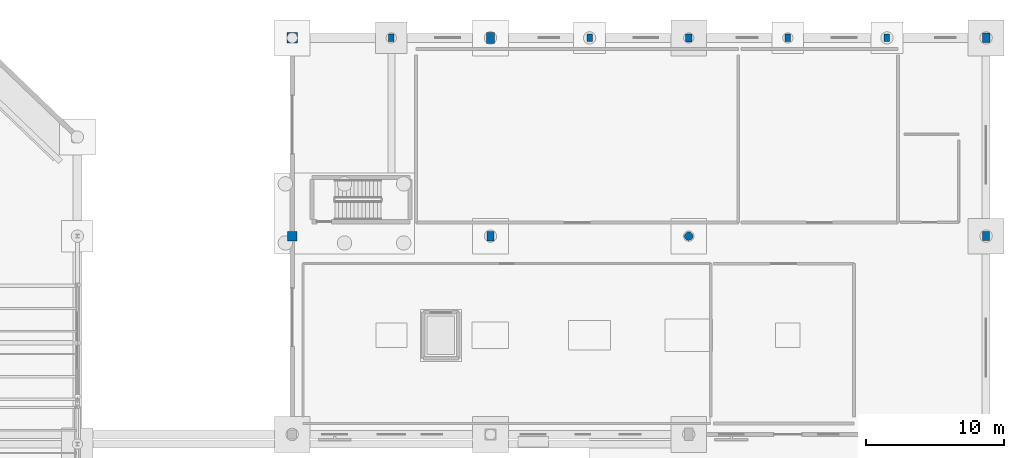
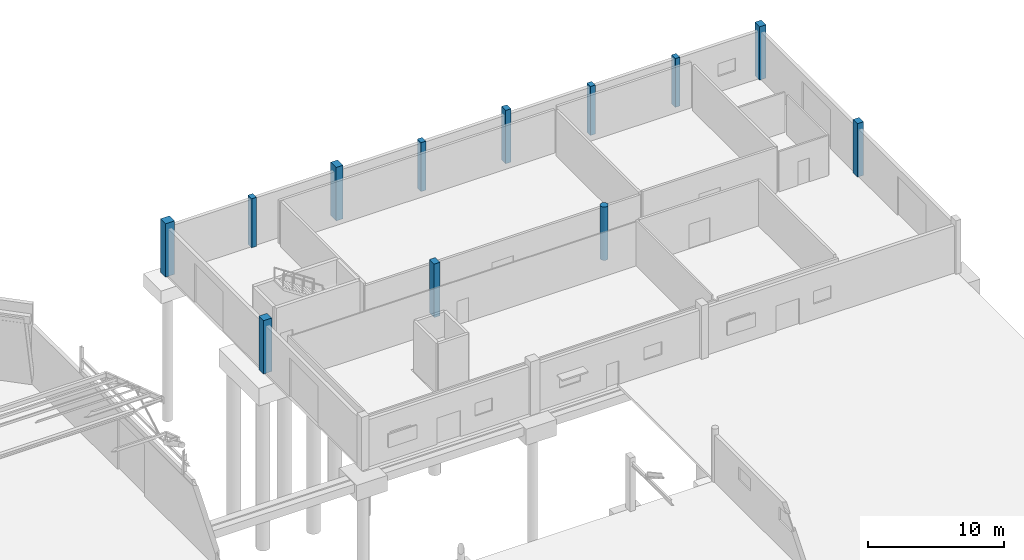
# One storey, part 38 of 285: 12 columns.
"""IFC4 building model written with IfcOpenShell, lengths in metres."""

from ifc_helpers import new_model, si_unit, direction, frame, origin, origin_2d, place, context, subcontext, project, spatial, rectangle, circle, extrude, material, material_profile, profile_set, type_object, element, save


model = new_model("IFC4")

# Units and contexts
model_context = context("Model", 3, precision=1e-05, world=origin(), true_north=direction((0.0, 1.0)))
body_context = subcontext(model_context, "Body", "Model", "MODEL_VIEW")
ifc_project = project(units=[si_unit("LENGTHUNIT", "METRE"), si_unit("AREAUNIT", "SQUARE_METRE"), si_unit("VOLUMEUNIT", "CUBIC_METRE"), si_unit("PLANEANGLEUNIT", "RADIAN"), si_unit("MASSUNIT", "GRAM", prefix="KILO")], contexts=[model_context])

# Site, building, storey
site_placement = place(None, origin())
site = spatial("IfcSite", under=ifc_project, at=site_placement, CompositionType="ELEMENT")
building_placement = place(site_placement, origin())
building = spatial("IfcBuilding", under=site, at=building_placement, Name="Solanera Park Tramway Depot", CompositionType="ELEMENT")
storey_placement = place(building_placement, origin())
storey = spatial("IfcBuildingStorey", under=building, at=storey_placement, Name="L00", CompositionType="ELEMENT", Elevation=0.0)

# Columns
ifc_material_1 = material(Name="Concrete N40 (C40/50)", Category="concrete")
ifc_material_profile_1 = material_profile(ifc_material_1, rectangle(XDim=0.39990234375, YDim=0.550048828125, at=origin_2d()), Name="PIL 400x550")
ifc_profile_set_1 = profile_set([ifc_material_profile_1], Name="Concrete N40 (C40/50)")
column_type_1 = type_object("IfcColumnType", Name="Classical Facade Pilaster PIL 400x550", PredefinedType="PILASTER", material=ifc_profile_set_1)
for number, where, z_axis, x_axis, name in (
    (1, (172.800048828125, 144.0, 0.0), (0.0, 0.0, 1.0), (1.0, 0.0, 0.0), "L00 Classical Pilaster 06"),
    (2, (187.199951171875, 144.0, 0.0), (0.0, 0.0, 1.0), (1.0, 0.0, 0.0), "L00 Classical Pilaster 07"),
    (3, (201.60009765625, 144.0, 0.0), (0.0, 0.0, 1.0), (1.0, 0.0, 0.0), "L00 Classical Pilaster 08"),
    (4, (208.800048828125, 144.0, 0.0), (0.0, 0.0, 1.0), (1.0, 0.0, 0.0), "L00 Classical Pilaster 09"),
):
    element("IfcColumn", number, at=place(storey_placement, frame(where, z_axis=z_axis, x_axis=x_axis)), inside=storey, type_object=column_type_1, Name=name, PredefinedType="PILASTER", context=body_context, shape_type="SweptSolid", body=[
        extrude(rectangle(XDim=0.39990234375, YDim=0.550048828125, at=origin_2d()), origin(), (0.0, 0.0, 1.0), 4.39990234375),
    ])
ifc_material_2 = material(Name="Concrete N40 (C40/50)", Category="concrete")
ifc_material_profile_2 = material_profile(ifc_material_2, rectangle(XDim=0.449951171875, YDim=0.60009765625, at=origin_2d()), Name="RC 450x600")
ifc_profile_set_2 = profile_set([ifc_material_profile_2], Name="Concrete N40 (C40/50)")
column_type_2 = type_object("IfcColumnType", Name="RC Column Ext RC 450x600", PredefinedType="COLUMN", material=ifc_profile_set_2)
column_1_placement = place(storey_placement, frame((194.39990234375, 144.0, 0.0), z_axis=(0.0, 0.0, 1.0), x_axis=(1.0, 0.0, 0.0)))
element("IfcColumn", 5, at=column_1_placement, inside=storey, type_object=column_type_2, Name="L00 Column V3-X1944-Y1440", PredefinedType="COLUMN", context=body_context, shape_type="SweptSolid", body=[
    extrude(rectangle(XDim=0.449951171875, YDim=0.60009765625, at=origin_2d()), origin(), (0.0, 0.0, 1.0), 4.800048828125),
])
ifc_material_3 = material(Name="Concrete N40 (C40/50)", Category="concrete")
ifc_material_profile_3 = material_profile(ifc_material_3, rectangle(XDim=0.5, YDim=0.64990234375, at=origin_2d()), Name="RC 500x650")
ifc_profile_set_3 = profile_set([ifc_material_profile_3], Name="Concrete N40 (C40/50)")
column_type_3 = type_object("IfcColumnType", Name="RC Column Ext RC 500x650", PredefinedType="COLUMN", material=ifc_profile_set_3)
column_2_placement = place(storey_placement, frame((216.0, 129.60009765625, 0.0), z_axis=(0.0, 0.0, 1.0), x_axis=(1.0, 0.0, 0.0)))
element("IfcColumn", 6, at=column_2_placement, inside=storey, type_object=column_type_3, Name="L00 Column V3-X2160-Y1296", PredefinedType="COLUMN", context=body_context, shape_type="SweptSolid", body=[
    extrude(rectangle(XDim=0.5, YDim=0.64990234375, at=origin_2d()), origin(), (0.0, 0.0, 1.0), 4.800048828125),
])
ifc_material_4 = material(Name="Concrete N40 (C40/50)", Category="concrete")
ifc_material_profile_4 = material_profile(ifc_material_4, rectangle(XDim=0.550048828125, YDim=0.699951171875, at=origin_2d()), Name="RC 550x700")
ifc_profile_set_4 = profile_set([ifc_material_profile_4], Name="Concrete N40 (C40/50)")
column_type_4 = type_object("IfcColumnType", Name="RC Column Ext RC 550x700", PredefinedType="COLUMN", material=ifc_profile_set_4)
column_3_placement = place(storey_placement, frame((216.0, 144.0, 0.0), z_axis=(0.0, 0.0, 1.0), x_axis=(1.0, 0.0, 0.0)))
element("IfcColumn", 7, at=column_3_placement, inside=storey, type_object=column_type_4, Name="L00 Column V3-X2160-Y1440", PredefinedType="COLUMN", context=body_context, shape_type="SweptSolid", body=[
    extrude(rectangle(XDim=0.550048828125, YDim=0.699951171875, at=origin_2d()), origin(), (0.0, 0.0, 1.0), 4.800048828125),
])
ifc_material_5 = material(Name="Concrete N40 (C40/50)", Category="concrete")
ifc_material_profile_5 = material_profile(ifc_material_5, rectangle(XDim=0.60009765625, YDim=0.800048828125, at=origin_2d()), Name="RC 600x800")
ifc_profile_set_5 = profile_set([ifc_material_profile_5], Name="Concrete N40 (C40/50)")
column_type_5 = type_object("IfcColumnType", Name="RC Column Ext RC 600x800", PredefinedType="COLUMN", material=ifc_profile_set_5)
column_4_placement = place(storey_placement, frame((180.0, 144.0, 0.0), z_axis=(0.0, 0.0, 1.0), x_axis=(1.0, 0.0, 0.0)))
element("IfcColumn", 8, at=column_4_placement, inside=storey, type_object=column_type_5, Name="L00 Column V3-X1800-Y1440", PredefinedType="COLUMN", context=body_context, shape_type="SweptSolid", body=[
    extrude(rectangle(XDim=0.60009765625, YDim=0.800048828125, at=origin_2d()), origin(), (0.0, 0.0, 1.0), 4.800048828125),
])
ifc_material_6 = material(Name="Concrete N40 (C40/50)", Category="concrete")
ifc_material_profile_6 = material_profile(ifc_material_6, rectangle(XDim=0.699951171875, YDim=0.699951171875, at=origin_2d()), Name="RC 700x700")
ifc_profile_set_6 = profile_set([ifc_material_profile_6], Name="Concrete N40 (C40/50)")
column_type_6 = type_object("IfcColumnType", Name="RC Column Ext RC 700x700", PredefinedType="COLUMN", material=ifc_profile_set_6)
column_5_placement = place(storey_placement, frame((165.60009765625, 129.60009765625, 0.0), z_axis=(0.0, 0.0, 1.0), x_axis=(1.0, 0.0, 0.0)))
element("IfcColumn", 9, at=column_5_placement, inside=storey, type_object=column_type_6, Name="L00 Column V3-X1656-Y1296", PredefinedType="COLUMN", context=body_context, shape_type="SweptSolid", body=[
    extrude(rectangle(XDim=0.699951171875, YDim=0.699951171875, at=origin_2d()), origin(), (0.0, 0.0, 1.0), 4.800048828125),
])
ifc_material_7 = material(Name="Concrete N40 (C40/50)", Category="concrete")
ifc_material_profile_7 = material_profile(ifc_material_7, rectangle(XDim=0.75, YDim=0.75, at=origin_2d()), Name="RC 750x750")
ifc_profile_set_7 = profile_set([ifc_material_profile_7], Name="Concrete N40 (C40/50)")
column_type_7 = type_object("IfcColumnType", Name="RC Column Ext RC 750x750", PredefinedType="COLUMN", material=ifc_profile_set_7)
column_6_placement = place(storey_placement, frame((165.60009765625, 144.0, 0.0), z_axis=(0.0, 0.0, 1.0), x_axis=(1.0, 0.0, 0.0)))
element("IfcColumn", 10, at=column_6_placement, inside=storey, type_object=column_type_7, Name="L00 Column V3-X1656-Y1440", PredefinedType="COLUMN", context=body_context, shape_type="SweptSolid", body=[
    extrude(rectangle(XDim=0.75, YDim=0.75, at=origin_2d()), origin(), (0.0, 0.0, 1.0), 4.800048828125),
])
ifc_material_8 = material(Name="Concrete N40 (C40/50)", Category="concrete")
ifc_material_profile_8 = material_profile(ifc_material_8, rectangle(XDim=0.5, YDim=0.699951171875, at=origin_2d()), Name="RC 500x700")
ifc_profile_set_8 = profile_set([ifc_material_profile_8], Name="Concrete N40 (C40/50)")
column_type_8 = type_object("IfcColumnType", Name="RC Column Int RC 500x700", PredefinedType="COLUMN", material=ifc_profile_set_8)
column_7_placement = place(storey_placement, frame((180.0, 129.60009765625, 0.0), z_axis=(0.0, 0.0, 1.0), x_axis=(1.0, 0.0, 0.0)))
element("IfcColumn", 11, at=column_7_placement, inside=storey, type_object=column_type_8, Name="L00 Column V3-X1800-Y1296", PredefinedType="COLUMN", context=body_context, shape_type="SweptSolid", body=[
    extrude(rectangle(XDim=0.5, YDim=0.699951171875, at=origin_2d()), origin(), (0.0, 0.0, 1.0), 4.800048828125),
])
ifc_material_9 = material(Name="Concrete N40 (C40/50)", Category="concrete")
ifc_material_profile_9 = material_profile(ifc_material_9, circle(Radius=0.300048828125, at=origin_2d()), Name="RC D600")
ifc_profile_set_9 = profile_set([ifc_material_profile_9], Name="Concrete N40 (C40/50)")
column_type_9 = type_object("IfcColumnType", Name="RC Column Int RC D600", PredefinedType="COLUMN", material=ifc_profile_set_9)
column_8_placement = place(storey_placement, frame((194.39990234375, 129.60009765625, 0.0), z_axis=(0.0, 0.0, 1.0), x_axis=(1.0, 0.0, 0.0)))
element("IfcColumn", 12, at=column_8_placement, inside=storey, type_object=column_type_9, Name="L00 Column V3-X1944-Y1296", PredefinedType="COLUMN", context=body_context, shape_type="SweptSolid", body=[
    extrude(circle(Radius=0.300048828125, at=origin_2d()), origin(), (0.0, 0.0, 1.0), 4.800048828125),
])

save(model, "model.ifc")
